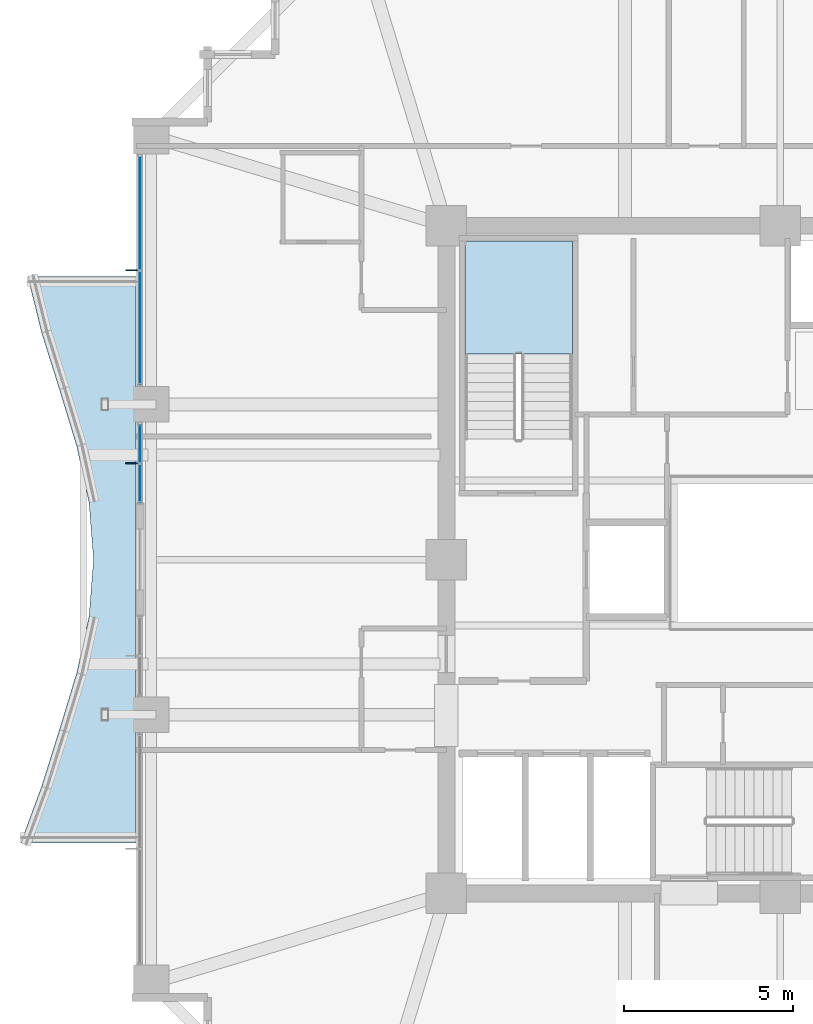
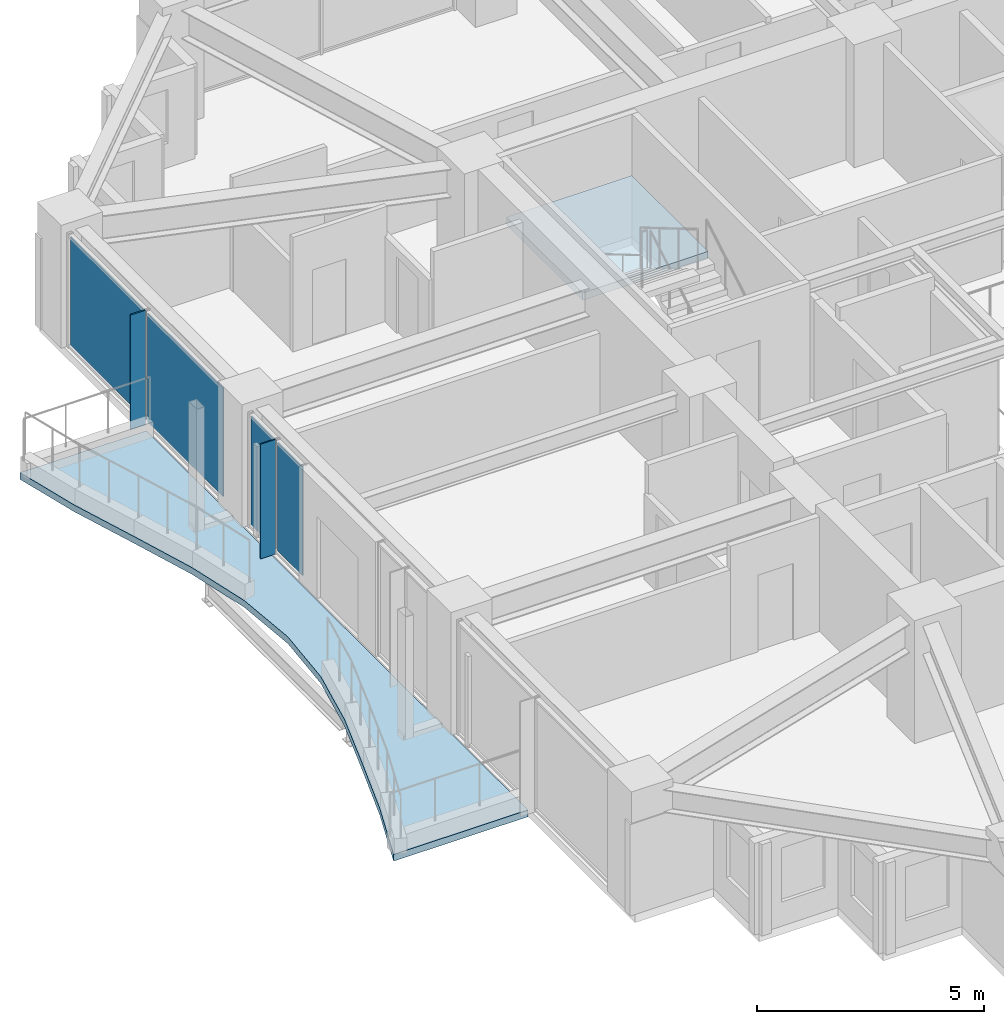
# One storey, part 25 of 35: 6 plates, 2 slabs, 3 elements without a shape of their own.
"""IFC4 building model written with IfcOpenShell, lengths in metres."""

from ifc_helpers import new_model, si_unit, direction, frame, origin, origin_2d, place, context, subcontext, project, spatial, polyline, rectangle, outline, extrude, material, layer, layer_set, type_object, element, aggregate, save


model = new_model("IFC4")

# Units and contexts
model_context = context("Model", 3, precision=1e-05, world=origin(), true_north=direction((0.0, 1.0)))
body_context = subcontext(model_context, "Body", "Model", "MODEL_VIEW")
ifc_project = project(units=[si_unit("LENGTHUNIT", "METRE"), si_unit("AREAUNIT", "SQUARE_METRE"), si_unit("VOLUMEUNIT", "CUBIC_METRE"), si_unit("PLANEANGLEUNIT", "RADIAN"), si_unit("MASSUNIT", "GRAM", prefix="KILO")], contexts=[model_context])

# Site, building, storey
site_placement = place(None, origin())
site = spatial("IfcSite", under=ifc_project, at=site_placement, CompositionType="ELEMENT")
building_placement = place(site_placement, origin())
building = spatial("IfcBuilding", under=site, at=building_placement, Name="Kolvaren Belvedere", CompositionType="ELEMENT")
storey_placement = place(building_placement, frame((0.0, 0.0, 115.10009765625)))
storey = spatial("IfcBuildingStorey", under=building, at=storey_placement, Name="L33", CompositionType="ELEMENT", Elevation=115.10009765625)

# Curtain wall, plates
ifc_material_1 = material(Name="Anodised pale-metal aluminium AA 6063-T6", Category="aluminium")
curtain_wall_type = type_object("IfcCurtainWallType", Name="CW-Z3-WAIST", PredefinedType="NOTDEFINED", material=ifc_material_1)
curtain_wall_1_placement = place(storey_placement, origin())
curtain_wall_1 = element("IfcCurtainWall", 1, at=curtain_wall_1_placement, inside=storey, type_object=curtain_wall_type, Name="L33 Unitised Curtain Wall FCW-L33-W2-B1", PredefinedType="NOTDEFINED")
ifc_material_2 = material(Name="Low-iron triple insulated glass", Category="glass")
ifc_layer_1 = layer(ifc_material_2, 0.028076171875)
ifc_layer_set_1 = layer_set([ifc_layer_1], Name="Low-iron triple insulated glass")
plate_type_1 = type_object("IfcPlateType", Name="CW-PNL-VIS28", PredefinedType="CURTAIN_PANEL", material=ifc_layer_set_1)
plate_1_placement = place(storey_placement, frame((-18.97998046875, 2.265625, 0.079833984375), z_axis=(0.0, 0.0, 1.0), x_axis=(0.0, 1.0, 0.0)))
plate_1 = element("IfcPlate", 2, at=plate_1_placement, type_object=plate_type_1, Name="FCW-L33-W2-B1 Vision Glazing Panel 1", PredefinedType="CURTAIN_PANEL", context=body_context, shape_type="SweptSolid", body=[
    extrude(rectangle(XDim=1.09130859375, YDim=0.028076171875, at=origin_2d()), origin(), (0.0, 0.0, 1.0), 2.919921875),
])
plate_2_placement = place(storey_placement, frame((-18.97998046875, 3.43701171875, 0.079833984375), z_axis=(0.0, 0.0, 1.0), x_axis=(0.0, 1.0, 0.0)))
plate_2 = element("IfcPlate", 3, at=plate_2_placement, type_object=plate_type_1, Name="FCW-L33-W2-B1 Vision Glazing Panel 2", PredefinedType="CURTAIN_PANEL", context=body_context, shape_type="SweptSolid", body=[
    extrude(rectangle(XDim=1.09130859375, YDim=0.028076171875, at=origin_2d()), origin(), (0.0, 0.0, 1.0), 2.919921875),
])
aggregate(curtain_wall_1, [plate_1, plate_2])

curtain_wall_2_placement = place(storey_placement, origin())
curtain_wall_2 = element("IfcCurtainWall", 4, at=curtain_wall_2_placement, inside=storey, type_object=curtain_wall_type, Name="L33 Unitised Curtain Wall FCW-L33-W2-B2", PredefinedType="NOTDEFINED")
plate_3_placement = place(storey_placement, frame((-18.97998046875, 6.876220703125, 0.079833984375), z_axis=(0.0, 0.0, 1.0), x_axis=(0.0, 1.0, 0.0)))
plate_3 = element("IfcPlate", 5, at=plate_3_placement, type_object=plate_type_1, Name="FCW-L33-W2-B2 Vision Glazing Panel 1", PredefinedType="CURTAIN_PANEL", context=body_context, shape_type="SweptSolid", body=[
    extrude(rectangle(XDim=3.3173828125, YDim=0.028076171875, at=origin_2d()), origin(), (0.0, 0.0, 1.0), 2.919921875),
])
plate_4_placement = place(storey_placement, frame((-18.97998046875, 10.273681640625, 0.079833984375), z_axis=(0.0, 0.0, 1.0), x_axis=(0.0, 1.0, 0.0)))
plate_4 = element("IfcPlate", 6, at=plate_4_placement, type_object=plate_type_1, Name="FCW-L33-W2-B2 Vision Glazing Panel 2", PredefinedType="CURTAIN_PANEL", context=body_context, shape_type="SweptSolid", body=[
    extrude(rectangle(XDim=3.3173828125, YDim=0.028076171875, at=origin_2d()), origin(), (0.0, 0.0, 1.0), 2.919921875),
])
aggregate(curtain_wall_2, [plate_3, plate_4])

# Plates
ifc_material_3 = material(Name="Anodised pale-metal aluminium AA 6063-T6", Category="aluminium")
ifc_layer_2 = layer(ifc_material_3, 0.033935546875)
ifc_layer_set_2 = layer_set([ifc_layer_2], Name="Anodised pale-metal aluminium AA 6063-T6")
plate_type_2 = type_object("IfcPlateType", Name="FIN-VERT-380", PredefinedType="USERDEFINED", material=ifc_layer_set_2)
for number, where, z_axis, x_axis, name in (
    (7, (-19.219970703125, 2.851318359375, -0.000244140625), (0.0, 0.0, 1.0), (1.0, 0.0, 0.0), "L33 Pale-Metal Vertical Shading Fin FCW-L33-W2-B1-1"),
    (8, (-19.219970703125, 8.574951171875, -0.000244140625), (0.0, 0.0, 1.0), (1.0, 0.0, 0.0), "L33 Pale-Metal Vertical Shading Fin FCW-L33-W2-B2-1"),
):
    element("IfcPlate", number, at=place(storey_placement, frame(where, z_axis=z_axis, x_axis=x_axis)), inside=storey, type_object=plate_type_2, Name=name, ObjectType="VERTICAL FIN", PredefinedType="USERDEFINED", context=body_context, shape_type="SweptSolid", body=[
        extrude(rectangle(XDim=0.3798828125, YDim=0.033935546875, at=origin_2d()), origin(), (0.0, 0.0, 1.0), 3.080078125),
    ])

# Slab
ifc_material_4 = material(Name="Concrete C50/60", Category="concrete")
ifc_layer_3 = layer(ifc_material_4, 0.179931640625)
ifc_layer_set_3 = layer_set([ifc_layer_3], Name="Concrete C50/60")
slab_type_1 = type_object("IfcSlabType", Name="SL-BAL-180", PredefinedType="FLOOR", material=ifc_layer_set_3)
slab_1_placement = place(storey_placement, frame((0.0, 0.0, -0.22021484375)))
element("IfcSlab", 9, at=slab_1_placement, inside=storey, type_object=slab_type_1, Name="L33 Planted Balcony BAL-W", PredefinedType="FLOOR", context=body_context, shape_type="SweptSolid", body=[
    extrude(outline(polyline([(-22.313720703125, 8.39990234375), (-21.89990234375, 6.719970703125), (-21.372314453125, 5.0400390625), (-20.861328125, 3.360107421875), (-20.49365234375, 1.679931640625), (-20.360107421875, 0.0), (-20.49365234375, -1.679931640625), (-20.861328125, -3.360107421875), (-21.372314453125, -5.0400390625), (-21.89990234375, -6.719970703125), (-22.52001953125, -8.39990234375), (-19.10009765625, -8.39990234375), (-19.10009765625, -6.719970703125), (-19.10009765625, -5.0400390625), (-19.10009765625, -3.360107421875), (-19.10009765625, -1.679931640625), (-19.10009765625, 0.0), (-19.10009765625, 1.679931640625), (-19.10009765625, 3.360107421875), (-19.10009765625, 5.0400390625), (-19.10009765625, 6.719970703125), (-19.10009765625, 8.39990234375), (-22.313720703125, 8.39990234375)])), origin(), (0.0, 0.0, 1.0), 0.18017578125),
])

# Stair, slab
ifc_material_5 = material(Name="Concrete C50/60", Category="concrete")
stair_type = type_object("IfcStairType", Name="ST-CORE-1520", PredefinedType="HALF_TURN_STAIR", material=ifc_material_5)
stair_placement = place(storey_placement, origin())
stair = element("IfcStair", 10, at=stair_placement, inside=storey, type_object=stair_type, Name="L33 Protected Exit Stair ST-1", PredefinedType="HALF_TURN_STAIR")
ifc_material_6 = material(Name="Concrete C50/60", Category="concrete")
ifc_layer_4 = layer(ifc_material_6, 0.260009765625)
ifc_layer_set_4 = layer_set([ifc_layer_4], Name="Concrete C50/60")
slab_type_2 = type_object("IfcSlabType", Name="SL-LAND-260", PredefinedType="LANDING", material=ifc_layer_set_4)
slab_2_placement = place(storey_placement, frame((0.0, 0.0, 1.449951171875)))
slab_2 = element("IfcSlab", 11, at=slab_2_placement, type_object=slab_type_2, Name="ST-1 landing 1", PredefinedType="LANDING", context=body_context, shape_type="SweptSolid", body=[
    extrude(outline(polyline([(-6.159912109375, 6.090087890625), (-6.159912109375, 9.449951171875), (-9.35009765625, 9.449951171875), (-9.35009765625, 6.090087890625), (-6.159912109375, 6.090087890625)])), origin(), (0.0, 0.0, 1.0), 0.199951171875),
])
aggregate(stair, [slab_2])

save(model, "model.ifc")
